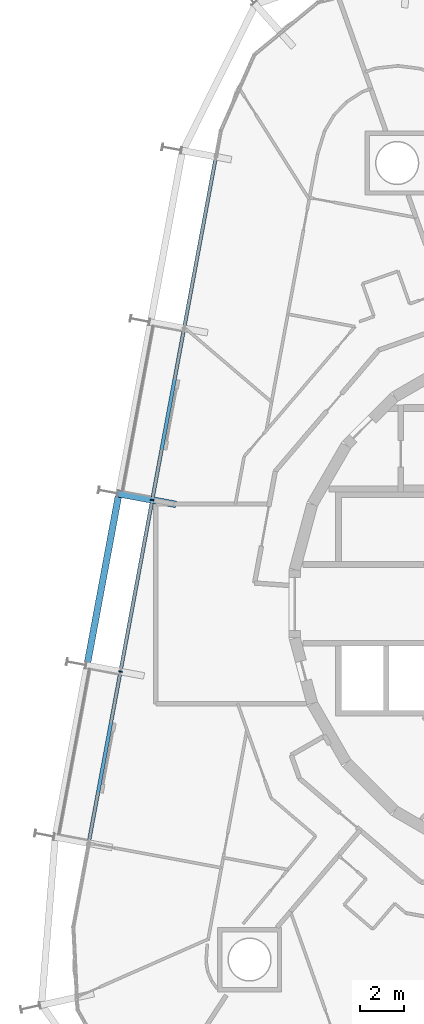
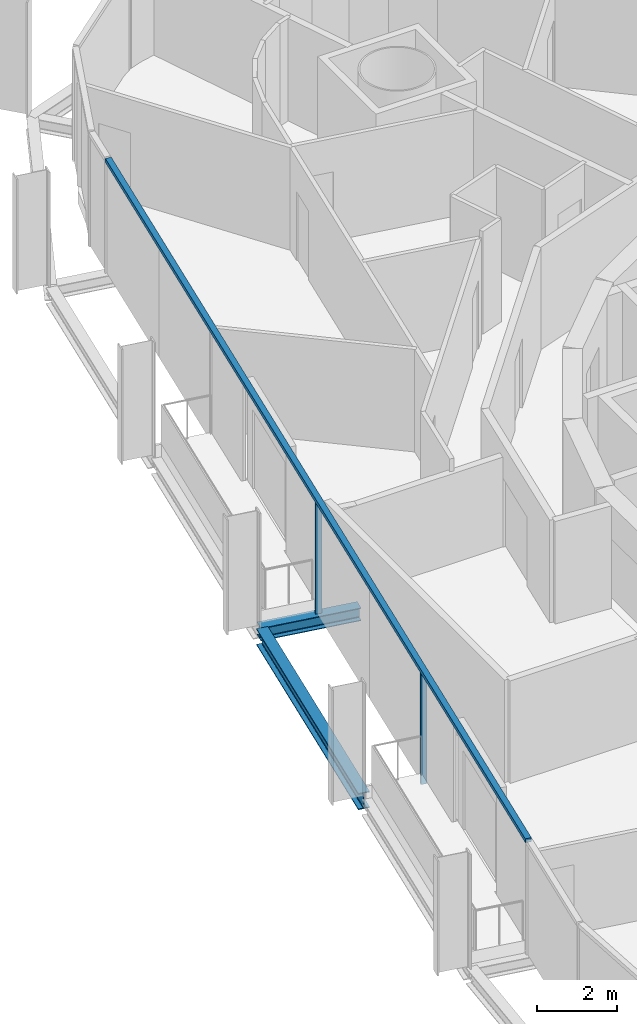
# One storey, part 4 of 17: 3 members, 2 beams, 1 element without a shape of its own.
"""IFC4 building model written with IfcOpenShell, lengths in metres."""

from ifc_helpers import new_model, si_unit, direction, frame, origin, origin_2d, place, context, subcontext, project, spatial, rectangle, i_section, extrude, material, layer, layer_set, material_profile, profile_set, type_object, element, aggregate, save


model = new_model("IFC4")

# Units and contexts
model_context = context("Model", 3, precision=1e-05, world=origin(), true_north=direction((0.0, 1.0)))
body_context = subcontext(model_context, "Body", "Model", "MODEL_VIEW")
ifc_project = project(units=[si_unit("LENGTHUNIT", "METRE"), si_unit("AREAUNIT", "SQUARE_METRE"), si_unit("VOLUMEUNIT", "CUBIC_METRE"), si_unit("PLANEANGLEUNIT", "RADIAN"), si_unit("MASSUNIT", "GRAM", prefix="KILO")], contexts=[model_context])

# Site, building, storey
site_placement = place(None, origin())
site = spatial("IfcSite", under=ifc_project, at=site_placement, CompositionType="ELEMENT")
building_placement = place(site_placement, origin())
building = spatial("IfcBuilding", under=site, at=building_placement, Name="Spindle Arch Residences", CompositionType="ELEMENT")
storey_placement = place(building_placement, frame((0.0, 0.0, 155.199951171875)))
storey = spatial("IfcBuildingStorey", under=building, at=storey_placement, Name="L38", CompositionType="ELEMENT", Elevation=155.199951171875)

# Curtain wall, members
ifc_material_1 = material(Name="Aluminium bronze unitised frame with tinted glass", Category="aluminium")
ifc_layer = layer(ifc_material_1, 0.159912109375)
ifc_layer_set = layer_set([ifc_layer], Name="CW-C typical residential unitised wall")
curtain_wall_type = type_object("IfcCurtainWallType", Name="CW-C typical residential unitised wall", PredefinedType="NOTDEFINED", material=ifc_layer_set)
curtain_wall_placement = place(storey_placement, origin())
curtain_wall = element("IfcCurtainWall", 1, at=curtain_wall_placement, inside=storey, type_object=curtain_wall_type, Name="CW-C L38 run 4", PredefinedType="NOTDEFINED")
ifc_material_2 = material(Name="Aluminium bronze anodised mullion", Category="aluminium")
ifc_material_profile_1 = material_profile(ifc_material_2, rectangle(XDim=0.159912109375, YDim=0.06005859375, at=origin_2d()), Name="MU 60x160")
ifc_profile_set_1 = profile_set([ifc_material_profile_1], Name="Aluminium bronze anodised mullion")
member_type_1 = type_object("IfcMemberType", Name="Bronze mullion 60x160", PredefinedType="MULLION", material=ifc_profile_set_1)
member_1_placement = place(storey_placement, frame((-18.0625, 4.679931640625, -0.3798828125), z_axis=(0.0, 0.0, 1.0), x_axis=(0.983254907564, -0.182235525492, 0.0)))
member_1 = element("IfcMember", 2, at=member_1_placement, type_object=member_type_1, Name="CW-C mullion 14", PredefinedType="MULLION", context=body_context, shape_type="SweptSolid", body=[
    extrude(rectangle(XDim=0.159912109375, YDim=0.06005859375, at=origin_2d()), origin(), (0.0, 0.0, 1.0), 3.3798828125),
])
member_2_placement = place(storey_placement, frame((-19.494873046875, -3.04833984375, -0.3798828125), z_axis=(0.0, 0.0, 1.0), x_axis=(0.983254907564, -0.182235525492, 0.0)))
member_2 = element("IfcMember", 3, at=member_2_placement, type_object=member_type_1, Name="CW-C mullion 15", PredefinedType="MULLION", context=body_context, shape_type="SweptSolid", body=[
    extrude(rectangle(XDim=0.159912109375, YDim=0.06005859375, at=origin_2d()), origin(), (0.0, 0.0, 1.0), 3.3798828125),
])
ifc_material_3 = material(Name="Aluminium bronze anodised transom", Category="aluminium")
ifc_material_profile_2 = material_profile(ifc_material_3, rectangle(XDim=0.159912109375, YDim=0.1201171875, at=origin_2d()), Name="TR 120x160")
ifc_profile_set_2 = profile_set([ifc_material_profile_2], Name="Aluminium bronze anodised transom")
member_type_2 = type_object("IfcMemberType", Name="Bronze transom 120x160", PredefinedType="USERDEFINED", material=ifc_profile_set_2)
member_3_placement = place(storey_placement, frame((-15.203125, 20.107421875, 3.06005859375), z_axis=(-0.182240536166, -0.983253978877, 0.0), x_axis=(0.983253978877, -0.182240536166, 0.0)))
member_3 = element("IfcMember", 4, at=member_3_placement, type_object=member_type_2, Name="CW-C transom 00", ObjectType="TRANSOM", PredefinedType="USERDEFINED", context=body_context, shape_type="SweptSolid", body=[
    extrude(rectangle(XDim=0.159912109375, YDim=0.1201171875, at=origin_2d()), origin(), (0.0, 0.0, 1.0), 31.380126953125),
])
aggregate(curtain_wall, [member_3, member_1, member_2])

# Beams
ifc_material_4 = material(Name="Steel S460ML, intumescent coating R 120", Category="steel")
ifc_material_profile_3 = material_profile(ifc_material_4, i_section(OverallWidth=0.300048828125, OverallDepth=0.5, WebThickness=0.014404296875, FlangeThickness=0.028076171875, FilletRadius=0.027099609375, at=origin_2d()), Name="HEB 500")
ifc_profile_set_3 = profile_set([ifc_material_profile_3], Name="Steel S460ML, intumescent coating R 120")
beam_type_1 = type_object("IfcBeamType", Name="Exoskeleton edge beam HEB 500", PredefinedType="BEAM", material=ifc_profile_set_3)
beam_1_placement = place(storey_placement, frame((-19.590576171875, 4.8310546875, -0.6298828125), z_axis=(-0.182234195466, -0.983255154069, 0.0), x_axis=(0.983255154069, -0.182234195466, 0.0)))
element("IfcBeam", 5, at=beam_1_placement, inside=storey, type_object=beam_type_1, Name="Exoskeleton edge beam 15", PredefinedType="BEAM", context=body_context, shape_type="SweptSolid", body=[
    extrude(i_section(OverallWidth=0.300048828125, OverallDepth=0.5, WebThickness=0.014404296875, FlangeThickness=0.028076171875, FilletRadius=0.027099609375, at=origin_2d()), origin(), (0.0, 0.0, 1.0), 7.60009765625),
])
ifc_material_5 = material(Name="Steel S460ML, intumescent coating R 120", Category="steel")
ifc_material_profile_4 = material_profile(ifc_material_5, i_section(OverallWidth=0.300048828125, OverallDepth=0.389892578125, WebThickness=0.010986328125, FlangeThickness=0.01904296875, FilletRadius=0.027099609375, at=origin_2d()), Name="HEA 400")
ifc_profile_set_4 = profile_set([ifc_material_profile_4], Name="Steel S460ML, intumescent coating R 120")
beam_type_2 = type_object("IfcBeamType", Name="Floor outrigger HEA 400", PredefinedType="BEAM", material=ifc_profile_set_4)
beam_2_placement = place(storey_placement, frame((-19.606201171875, 4.966064453125, -0.574951171875), z_axis=(0.98325694826, -0.182224514537, 0.0), x_axis=(0.182224514537, 0.98325694826, 0.0)))
element("IfcBeam", 6, at=beam_2_placement, inside=storey, type_object=beam_type_2, Name="Floor outrigger 15", PredefinedType="BEAM", context=body_context, shape_type="SweptSolid", body=[
    extrude(i_section(OverallWidth=0.300048828125, OverallDepth=0.389892578125, WebThickness=0.010986328125, FlangeThickness=0.01904296875, FilletRadius=0.027099609375, at=origin_2d()), origin(), (0.0, 0.0, 1.0), 2.650146484375),
])

save(model, "model.ifc")
